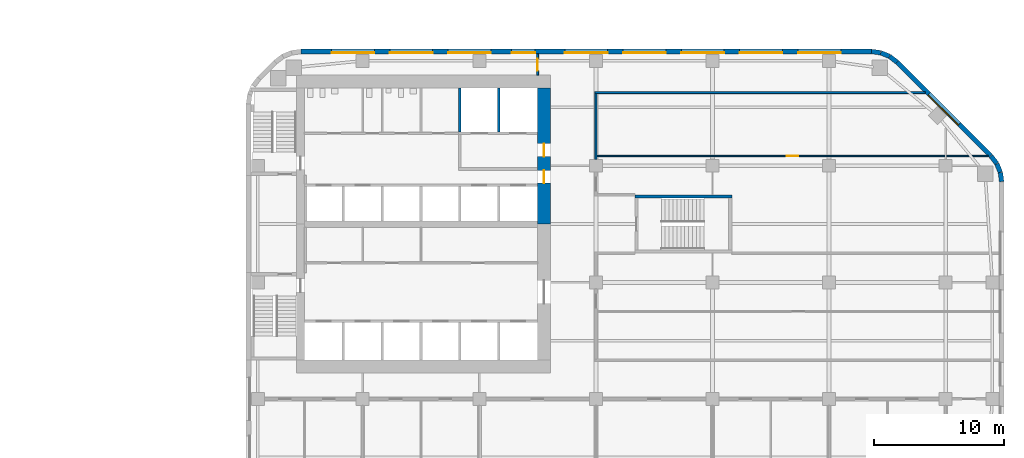
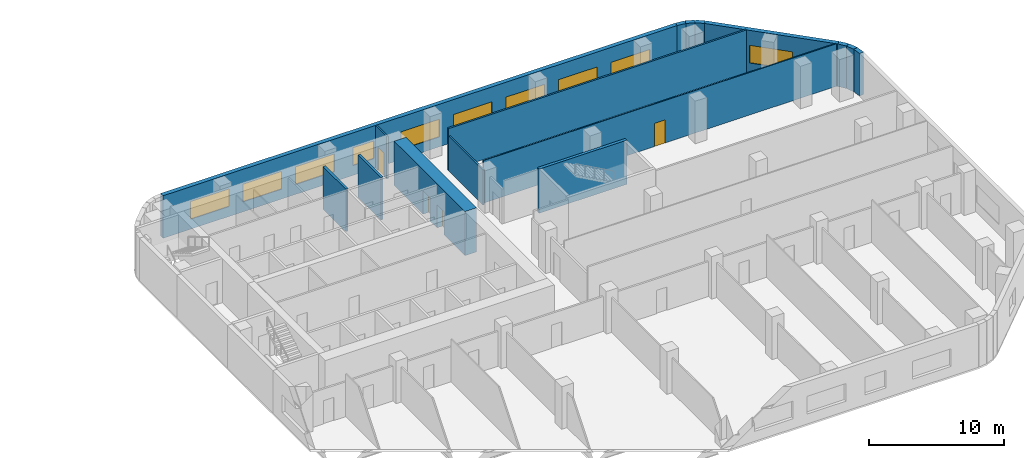
# One storey, part 11 of 15: 16 walls, 10 windows, 4 doors, 14 openings.
"""IFC4 building model written with IfcOpenShell, lengths in metres."""

from ifc_helpers import new_model, si_unit, direction, frame, frame_2d, origin, place, context, subcontext, project, spatial, rectangle, extrude, material, layer, layer_set, type_object, element, fill, save


model = new_model("IFC4")

# Units and contexts
model_context = context("Model", 3, precision=1e-05, world=origin(), true_north=direction((0.0, 1.0)))
body_context = subcontext(model_context, "Body", "Model", "MODEL_VIEW")
ifc_project = project(units=[si_unit("LENGTHUNIT", "METRE"), si_unit("AREAUNIT", "SQUARE_METRE"), si_unit("VOLUMEUNIT", "CUBIC_METRE"), si_unit("PLANEANGLEUNIT", "RADIAN"), si_unit("MASSUNIT", "GRAM", prefix="KILO")], contexts=[model_context])

# Site, building, storey
site_placement = place(None, origin())
site = spatial("IfcSite", under=ifc_project, at=site_placement, CompositionType="ELEMENT")
building_placement = place(site_placement, origin())
building = spatial("IfcBuilding", under=site, at=building_placement, Name="Cinnabar Reach Civic Tower", CompositionType="ELEMENT")
storey_placement = place(building_placement, frame((0.0, 0.0, 59.0)))
storey = spatial("IfcBuildingStorey", under=building, at=storey_placement, Name="L13", CompositionType="ELEMENT", Elevation=59.0)

# Walls
ifc_material_1 = material(Name="Facing brick with insulated backing", Category="masonry")
ifc_layer_1 = layer(ifc_material_1, 0.36)
ifc_layer_set_1 = layer_set([ifc_layer_1], Name="Brick corner wall")
wall_type_1 = type_object("IfcWallType", Name="Brick corner wall", PredefinedType="STANDARD", material=ifc_layer_set_1)
for number, where, z_axis, x_axis, name in (
    (1, (58.317, 34.7686, 0.0), (0.0, 0.0, 1.0), (-0.13055608231, 0.99144092581, 0.0), "Brick corner wall"),
    (2, (58.2181, 35.4973, 0.0), (0.0, 0.0, 1.0), (-0.382702709855, 0.923871547278, 0.0), "Brick corner wall"),
):
    element("IfcWall", number, at=place(storey_placement, frame(where, z_axis=z_axis, x_axis=x_axis)), inside=storey, type_object=wall_type_1, Name=name, PredefinedType="STANDARD", context=body_context, shape_type="SweptSolid", body=[
        extrude(rectangle(XDim=0.7131, YDim=0.36, at=frame_2d((0.3565, 0.0))), origin(), (0.0, 0.0, 1.0), 3.85),
    ])
for number, where, z_axis, x_axis, name in (
    (3, (57.934, 36.1755, 0.0), (0.0, 0.0, 1.0), (-0.608802368033, 0.793321924995, 0.0), "Brick corner wall"),
    (4, (50.2413, 43.9998, 0.0), (0.0, 0.0, 1.0), (-0.793321924995, 0.608802368033, 0.0), "Brick corner wall"),
):
    element("IfcWall", number, at=place(storey_placement, frame(where, z_axis=z_axis, x_axis=x_axis)), inside=storey, type_object=wall_type_1, Name=name, PredefinedType="STANDARD", context=body_context, shape_type="SweptSolid", body=[
        extrude(rectangle(XDim=0.7132, YDim=0.36, at=frame_2d((0.3566, 0.0))), origin(), (0.0, 0.0, 1.0), 3.85),
    ])
for number, where, z_axis, x_axis, name in (
    (5, (49.6561, 44.4452, 0.0), (0.0, 0.0, 1.0), (-0.923871547278, 0.382702709855, 0.0), "Brick corner wall"),
    (6, (48.9756, 44.7239, 0.0), (0.0, 0.0, 1.0), (-0.99144092581, 0.13055608231, 0.0), "Brick corner wall"),
):
    element("IfcWall", number, at=place(storey_placement, frame(where, z_axis=z_axis, x_axis=x_axis)), inside=storey, type_object=wall_type_1, Name=name, PredefinedType="STANDARD", context=body_context, shape_type="SweptSolid", body=[
        extrude(rectangle(XDim=0.7131, YDim=0.36, at=frame_2d((0.3565, 0.0))), origin(), (0.0, 0.0, 1.0), 3.85),
    ])

# Wall, opening, window
ifc_layer_2 = layer(ifc_material_1, 0.36)
ifc_layer_set_2 = layer_set([ifc_layer_2], Name="Brick pier and spandrel wall")
wall_type_2 = type_object("IfcWallType", Name="Brick pier and spandrel wall", PredefinedType="STANDARD", material=ifc_layer_set_2)
wall_1_placement = place(storey_placement, frame((57.494, 36.7514, 0.0), z_axis=(0.0, 0.0, 1.0), x_axis=(-0.707106781187, 0.707106781187, 0.0)))
wall_1 = element("IfcWall", 7, at=wall_1_placement, inside=storey, type_object=wall_type_2, Name="Brick facade wall", PredefinedType="STANDARD", context=body_context, shape_type="SweptSolid", body=[
    extrude(rectangle(XDim=10.2426, YDim=0.36, at=frame_2d((5.1213, 0.0))), origin(), (0.0, 0.0, 1.0), 3.85),
])
opening_1_placement = place(wall_1_placement, frame((3.4713, 0.0, 0.9)))
opening_1 = element("IfcOpeningElement", 8, at=opening_1_placement, cuts=wall_1, Name="Opening W1227", PredefinedType="OPENING", context=body_context, shape_type="SweptSolid", body=[
    extrude(rectangle(XDim=3.3, YDim=1.6, at=frame_2d((1.65, 0.8))), frame((0.0, 0.19, 0.0), z_axis=(0.0, -1.0, 0.0), x_axis=(1.0, 0.0, 0.0)), (0.0, 0.0, 1.0), 0.38),
])
ifc_material_2 = material(Name="Clear double glazing in aluminium frame", Category="aluminium")
window_type_1 = type_object("IfcWindowType", Name="Deep-set window A", PartitioningType="SINGLE_PANEL", PredefinedType="WINDOW", material=ifc_material_2)
window_1_placement = place(opening_1_placement, origin())
window_1 = element("IfcWindow", 9, at=window_1_placement, inside=storey, type_object=window_type_1, Name="Window northeast face", OverallHeight=1.6, OverallWidth=3.3, PartitioningType="SINGLE_PANEL", PredefinedType="WINDOW", context=body_context, shape_type="SweptSolid", body=[
    extrude(rectangle(XDim=3.3, YDim=1.6, at=frame_2d((1.65, 0.8))), frame((0.0, 0.13, 0.0), z_axis=(0.0, -1.0, 0.0), x_axis=(1.0, 0.0, 0.0)), (0.0, 0.0, 1.0), 0.06),
])
fill(opening_1, window_1)

# Wall, openings, windows
wall_2_placement = place(storey_placement, frame((48.2574, 44.82, 0.0), z_axis=(0.0, 0.0, 1.0), x_axis=(-1.0, 0.0, 0.0)))
wall_2 = element("IfcWall", 10, at=wall_2_placement, inside=storey, type_object=wall_type_2, Name="Brick facade wall", PredefinedType="STANDARD", context=body_context, shape_type="SweptSolid", body=[
    extrude(rectangle(XDim=44.0148, YDim=0.36, at=frame_2d((22.0074, 0.0))), origin(), (0.0, 0.0, 1.0), 3.85),
])
opening_2_placement = place(wall_2_placement, frame((2.3574, 0.0, 0.9)))
opening_2 = element("IfcOpeningElement", 11, at=opening_2_placement, cuts=wall_2, Name="Opening W1228", PredefinedType="OPENING", context=body_context, shape_type="SweptSolid", body=[
    extrude(rectangle(XDim=3.3, YDim=1.6, at=frame_2d((1.65, 0.8))), frame((0.0, 0.19, 0.0), z_axis=(0.0, -1.0, 0.0), x_axis=(1.0, 0.0, 0.0)), (0.0, 0.0, 1.0), 0.38),
])
opening_3_placement = place(wall_2_placement, frame((6.8574, 0.0, 0.9)))
opening_3 = element("IfcOpeningElement", 12, at=opening_3_placement, cuts=wall_2, Name="Opening W1229", PredefinedType="OPENING", context=body_context, shape_type="SweptSolid", body=[
    extrude(rectangle(XDim=3.3, YDim=1.6, at=frame_2d((1.65, 0.8))), frame((0.0, 0.19, 0.0), z_axis=(0.0, -1.0, 0.0), x_axis=(1.0, 0.0, 0.0)), (0.0, 0.0, 1.0), 0.38),
])
opening_4_placement = place(wall_2_placement, frame((11.3574, 0.0, 0.9)))
opening_4 = element("IfcOpeningElement", 13, at=opening_4_placement, cuts=wall_2, Name="Opening W1230", PredefinedType="OPENING", context=body_context, shape_type="SweptSolid", body=[
    extrude(rectangle(XDim=3.3, YDim=1.6, at=frame_2d((1.65, 0.8))), frame((0.0, 0.19, 0.0), z_axis=(0.0, -1.0, 0.0), x_axis=(1.0, 0.0, 0.0)), (0.0, 0.0, 1.0), 0.38),
])
opening_5_placement = place(wall_2_placement, frame((15.8574, 0.0, 0.9)))
opening_5 = element("IfcOpeningElement", 14, at=opening_5_placement, cuts=wall_2, Name="Opening W1231", PredefinedType="OPENING", context=body_context, shape_type="SweptSolid", body=[
    extrude(rectangle(XDim=3.3, YDim=1.6, at=frame_2d((1.65, 0.8))), frame((0.0, 0.19, 0.0), z_axis=(0.0, -1.0, 0.0), x_axis=(1.0, 0.0, 0.0)), (0.0, 0.0, 1.0), 0.38),
])
opening_6_placement = place(wall_2_placement, frame((20.3574, 0.0, 0.9)))
opening_6 = element("IfcOpeningElement", 15, at=opening_6_placement, cuts=wall_2, Name="Opening W1232", PredefinedType="OPENING", context=body_context, shape_type="SweptSolid", body=[
    extrude(rectangle(XDim=3.3, YDim=1.6, at=frame_2d((1.65, 0.8))), frame((0.0, 0.19, 0.0), z_axis=(0.0, -1.0, 0.0), x_axis=(1.0, 0.0, 0.0)), (0.0, 0.0, 1.0), 0.38),
])
opening_7_placement = place(wall_2_placement, frame((25.9574, 0.0, 0.9)))
opening_7 = element("IfcOpeningElement", 16, at=opening_7_placement, cuts=wall_2, Name="Opening W1233", PredefinedType="OPENING", context=body_context, shape_type="SweptSolid", body=[
    extrude(rectangle(XDim=1.8, YDim=1.6, at=frame_2d((0.9, 0.8))), frame((0.0, 0.19, 0.0), z_axis=(0.0, -1.0, 0.0), x_axis=(1.0, 0.0, 0.0)), (0.0, 0.0, 1.0), 0.38),
])
opening_8_placement = place(wall_2_placement, frame((29.3574, 0.0, 0.9)))
opening_8 = element("IfcOpeningElement", 17, at=opening_8_placement, cuts=wall_2, Name="Opening W1234", PredefinedType="OPENING", context=body_context, shape_type="SweptSolid", body=[
    extrude(rectangle(XDim=3.3, YDim=1.6, at=frame_2d((1.65, 0.8))), frame((0.0, 0.19, 0.0), z_axis=(0.0, -1.0, 0.0), x_axis=(1.0, 0.0, 0.0)), (0.0, 0.0, 1.0), 0.38),
])
opening_9_placement = place(wall_2_placement, frame((33.8574, 0.0, 0.9)))
opening_9 = element("IfcOpeningElement", 18, at=opening_9_placement, cuts=wall_2, Name="Opening W1235", PredefinedType="OPENING", context=body_context, shape_type="SweptSolid", body=[
    extrude(rectangle(XDim=3.3, YDim=1.6, at=frame_2d((1.65, 0.8))), frame((0.0, 0.19, 0.0), z_axis=(0.0, -1.0, 0.0), x_axis=(1.0, 0.0, 0.0)), (0.0, 0.0, 1.0), 0.38),
])
opening_10_placement = place(wall_2_placement, frame((38.3574, 0.0, 0.9)))
opening_10 = element("IfcOpeningElement", 19, at=opening_10_placement, cuts=wall_2, Name="Opening W1236", PredefinedType="OPENING", context=body_context, shape_type="SweptSolid", body=[
    extrude(rectangle(XDim=3.3, YDim=1.6, at=frame_2d((1.65, 0.8))), frame((0.0, 0.19, 0.0), z_axis=(0.0, -1.0, 0.0), x_axis=(1.0, 0.0, 0.0)), (0.0, 0.0, 1.0), 0.38),
])
window_2_placement = place(opening_2_placement, origin())
window_2 = element("IfcWindow", 20, at=window_2_placement, inside=storey, type_object=window_type_1, Name="Window north face", OverallHeight=1.6, OverallWidth=3.3, PartitioningType="SINGLE_PANEL", PredefinedType="WINDOW", context=body_context, shape_type="SweptSolid", body=[
    extrude(rectangle(XDim=3.3, YDim=1.6, at=frame_2d((1.65, 0.8))), frame((0.0, 0.13, 0.0), z_axis=(0.0, -1.0, 0.0), x_axis=(1.0, 0.0, 0.0)), (0.0, 0.0, 1.0), 0.06),
])
fill(opening_2, window_2)
window_3_placement = place(opening_3_placement, origin())
window_3 = element("IfcWindow", 21, at=window_3_placement, inside=storey, type_object=window_type_1, Name="Window north face", OverallHeight=1.6, OverallWidth=3.3, PartitioningType="SINGLE_PANEL", PredefinedType="WINDOW", context=body_context, shape_type="SweptSolid", body=[
    extrude(rectangle(XDim=3.3, YDim=1.6, at=frame_2d((1.65, 0.8))), frame((0.0, 0.13, 0.0), z_axis=(0.0, -1.0, 0.0), x_axis=(1.0, 0.0, 0.0)), (0.0, 0.0, 1.0), 0.06),
])
fill(opening_3, window_3)
window_4_placement = place(opening_4_placement, origin())
window_4 = element("IfcWindow", 22, at=window_4_placement, inside=storey, type_object=window_type_1, Name="Window north face", OverallHeight=1.6, OverallWidth=3.3, PartitioningType="SINGLE_PANEL", PredefinedType="WINDOW", context=body_context, shape_type="SweptSolid", body=[
    extrude(rectangle(XDim=3.3, YDim=1.6, at=frame_2d((1.65, 0.8))), frame((0.0, 0.13, 0.0), z_axis=(0.0, -1.0, 0.0), x_axis=(1.0, 0.0, 0.0)), (0.0, 0.0, 1.0), 0.06),
])
fill(opening_4, window_4)
window_5_placement = place(opening_5_placement, origin())
window_5 = element("IfcWindow", 23, at=window_5_placement, inside=storey, type_object=window_type_1, Name="Window north face", OverallHeight=1.6, OverallWidth=3.3, PartitioningType="SINGLE_PANEL", PredefinedType="WINDOW", context=body_context, shape_type="SweptSolid", body=[
    extrude(rectangle(XDim=3.3, YDim=1.6, at=frame_2d((1.65, 0.8))), frame((0.0, 0.13, 0.0), z_axis=(0.0, -1.0, 0.0), x_axis=(1.0, 0.0, 0.0)), (0.0, 0.0, 1.0), 0.06),
])
fill(opening_5, window_5)
window_6_placement = place(opening_6_placement, origin())
window_6 = element("IfcWindow", 24, at=window_6_placement, inside=storey, type_object=window_type_1, Name="Window north face", OverallHeight=1.6, OverallWidth=3.3, PartitioningType="SINGLE_PANEL", PredefinedType="WINDOW", context=body_context, shape_type="SweptSolid", body=[
    extrude(rectangle(XDim=3.3, YDim=1.6, at=frame_2d((1.65, 0.8))), frame((0.0, 0.13, 0.0), z_axis=(0.0, -1.0, 0.0), x_axis=(1.0, 0.0, 0.0)), (0.0, 0.0, 1.0), 0.06),
])
fill(opening_6, window_6)
window_7_placement = place(opening_8_placement, origin())
window_7 = element("IfcWindow", 25, at=window_7_placement, inside=storey, type_object=window_type_1, Name="Window north face", OverallHeight=1.6, OverallWidth=3.3, PartitioningType="SINGLE_PANEL", PredefinedType="WINDOW", context=body_context, shape_type="SweptSolid", body=[
    extrude(rectangle(XDim=3.3, YDim=1.6, at=frame_2d((1.65, 0.8))), frame((0.0, 0.13, 0.0), z_axis=(0.0, -1.0, 0.0), x_axis=(1.0, 0.0, 0.0)), (0.0, 0.0, 1.0), 0.06),
])
fill(opening_8, window_7)
window_8_placement = place(opening_9_placement, origin())
window_8 = element("IfcWindow", 26, at=window_8_placement, inside=storey, type_object=window_type_1, Name="Window north face", OverallHeight=1.6, OverallWidth=3.3, PartitioningType="SINGLE_PANEL", PredefinedType="WINDOW", context=body_context, shape_type="SweptSolid", body=[
    extrude(rectangle(XDim=3.3, YDim=1.6, at=frame_2d((1.65, 0.8))), frame((0.0, 0.13, 0.0), z_axis=(0.0, -1.0, 0.0), x_axis=(1.0, 0.0, 0.0)), (0.0, 0.0, 1.0), 0.06),
])
fill(opening_9, window_8)
window_9_placement = place(opening_10_placement, origin())
window_9 = element("IfcWindow", 27, at=window_9_placement, inside=storey, type_object=window_type_1, Name="Window north face", OverallHeight=1.6, OverallWidth=3.3, PartitioningType="SINGLE_PANEL", PredefinedType="WINDOW", context=body_context, shape_type="SweptSolid", body=[
    extrude(rectangle(XDim=3.3, YDim=1.6, at=frame_2d((1.65, 0.8))), frame((0.0, 0.13, 0.0), z_axis=(0.0, -1.0, 0.0), x_axis=(1.0, 0.0, 0.0)), (0.0, 0.0, 1.0), 0.06),
])
fill(opening_10, window_9)
window_type_2 = type_object("IfcWindowType", Name="Deep-set window D", PartitioningType="SINGLE_PANEL", PredefinedType="WINDOW", material=ifc_material_2)
window_10_placement = place(opening_7_placement, origin())
window_10 = element("IfcWindow", 28, at=window_10_placement, inside=storey, type_object=window_type_2, Name="Window north face", OverallHeight=1.6, OverallWidth=1.8, PartitioningType="SINGLE_PANEL", PredefinedType="WINDOW", context=body_context, shape_type="SweptSolid", body=[
    extrude(rectangle(XDim=1.8, YDim=1.6, at=frame_2d((0.9, 0.8))), frame((0.0, 0.13, 0.0), z_axis=(0.0, -1.0, 0.0), x_axis=(1.0, 0.0, 0.0)), (0.0, 0.0, 1.0), 0.06),
])
fill(opening_7, window_10)

# Wall, openings, doors
ifc_material_3 = material(Name="Concrete C70", Category="concrete")
ifc_layer_3 = layer(ifc_material_3, 1.0)
ifc_layer_set_3 = layer_set([ifc_layer_3], Name="Core wall 1000 EI 180")
wall_type_3 = type_object("IfcWallType", Name="Core wall 1000 EI 180", PredefinedType="SOLIDWALL", material=ifc_layer_set_3)
wall_3_placement = place(storey_placement, frame((23.0, 31.5, 0.0), z_axis=(0.0, 0.0, 1.0), x_axis=(0.0, 1.0, 0.0)))
wall_3 = element("IfcWall", 29, at=wall_3_placement, inside=storey, type_object=wall_type_3, Name="Core wall T1 L13 E2", PredefinedType="SOLIDWALL", context=body_context, shape_type="SweptSolid", body=[
    extrude(rectangle(XDim=10.5, YDim=1.0, at=frame_2d((5.25, 0.0))), origin(), (0.0, 0.0, 1.0), 4.0),
])
opening_11_placement = place(wall_3_placement, frame((3.15, 0.0, 0.0)))
opening_11 = element("IfcOpeningElement", 30, at=opening_11_placement, cuts=wall_3, Name="Opening D3533", PredefinedType="OPENING", context=body_context, shape_type="SweptSolid", body=[
    extrude(rectangle(XDim=1.0, YDim=2.1, at=frame_2d((0.5, 1.05))), frame((0.0, 0.51, 0.0), z_axis=(0.0, -1.0, 0.0), x_axis=(1.0, 0.0, 0.0)), (0.0, 0.0, 1.0), 1.02),
])
opening_12_placement = place(wall_3_placement, frame((5.2, 0.0, 0.0)))
opening_12 = element("IfcOpeningElement", 31, at=opening_12_placement, cuts=wall_3, Name="Opening D3534", PredefinedType="OPENING", context=body_context, shape_type="SweptSolid", body=[
    extrude(rectangle(XDim=1.0, YDim=2.1, at=frame_2d((0.5, 1.05))), frame((0.0, 0.51, 0.0), z_axis=(0.0, -1.0, 0.0), x_axis=(1.0, 0.0, 0.0)), (0.0, 0.0, 1.0), 1.02),
])
ifc_material_4 = material(Name="Timber door leaf in steel frame", Category="steel")
door_type_1 = type_object("IfcDoorType", Name="Firefighting lobby door 1000 x 2100 T1", OperationType="SINGLE_SWING_LEFT", PredefinedType="DOOR", material=ifc_material_4)
door_1_placement = place(opening_12_placement, origin())
door_1 = element("IfcDoor", 32, at=door_1_placement, inside=storey, type_object=door_type_1, Name="Door D3534", OperationType="SINGLE_SWING_RIGHT", OverallHeight=2.1, OverallWidth=1.0, PredefinedType="DOOR", context=body_context, shape_type="SweptSolid", body=[
    extrude(rectangle(XDim=1.0, YDim=2.1, at=frame_2d((0.5, 1.05))), frame((0.0, 0.025, 0.0), z_axis=(0.0, -1.0, 0.0), x_axis=(1.0, 0.0, 0.0)), (0.0, 0.0, 1.0), 0.05),
])
fill(opening_12, door_1)
door_type_2 = type_object("IfcDoorType", Name="Single swing door 1000 x 2100 T1", OperationType="SINGLE_SWING_LEFT", PredefinedType="DOOR", material=ifc_material_4)
door_2_placement = place(opening_11_placement, origin())
door_2 = element("IfcDoor", 33, at=door_2_placement, inside=storey, type_object=door_type_2, Name="Door D3533", OperationType="SINGLE_SWING_RIGHT", OverallHeight=2.1, OverallWidth=1.0, PredefinedType="DOOR", context=body_context, shape_type="SweptSolid", body=[
    extrude(rectangle(XDim=1.0, YDim=2.1, at=frame_2d((0.5, 1.05))), frame((0.0, 0.025, 0.0), z_axis=(0.0, -1.0, 0.0), x_axis=(1.0, 0.0, 0.0)), (0.0, 0.0, 1.0), 0.05),
])
fill(opening_11, door_2)

# Walls
ifc_material_5 = material(Name="Gypsum board on steel studs, double layer", Category="steel")
ifc_layer_4 = layer(ifc_material_5, 0.15)
ifc_layer_set_4 = layer_set([ifc_layer_4], Name="Corridor wall 150 T1")
wall_type_4 = type_object("IfcWallType", Name="Corridor wall 150 T1", PredefinedType="PARTITIONING", material=ifc_layer_set_4)
wall_4_placement = place(storey_placement, frame((26.925, 41.65, 0.0), z_axis=(0.0, 0.0, 1.0), x_axis=(1.0, 0.0, 0.0)))
element("IfcWall", 34, at=wall_4_placement, inside=storey, type_object=wall_type_4, Name="Corridor wall 27", PredefinedType="PARTITIONING", context=body_context, shape_type="SweptSolid", body=[
    extrude(rectangle(XDim=25.4909, YDim=0.15, at=frame_2d((12.7454, 0.0))), origin(), (0.0, 0.0, 1.0), 3.85),
])
wall_5_placement = place(storey_placement, frame((27.0, 36.5, 0.0), z_axis=(0.0, 0.0, 1.0), x_axis=(0.0, 1.0, 0.0)))
element("IfcWall", 35, at=wall_5_placement, inside=storey, type_object=wall_type_4, Name="Corridor wall 33", PredefinedType="PARTITIONING", context=body_context, shape_type="SweptSolid", body=[
    extrude(rectangle(XDim=5.075, YDim=0.15, at=frame_2d((2.5375, 0.0))), origin(), (0.0, 0.0, 1.0), 3.158),
])

# Wall, opening, door
wall_6_placement = place(storey_placement, frame((22.5, 43.0, 0.0), z_axis=(0.0, 0.0, 1.0), x_axis=(0.0, 1.0, 0.0)))
wall_6 = element("IfcWall", 36, at=wall_6_placement, inside=storey, type_object=wall_type_4, Name="Corridor wall 38", PredefinedType="PARTITIONING", context=body_context, shape_type="SweptSolid", body=[
    extrude(rectangle(XDim=1.64, YDim=0.15, at=frame_2d((0.82, 0.0))), origin(), (0.0, 0.0, 1.0), 3.85),
])
opening_13_placement = place(wall_6_placement, frame((0.35, 0.0, 0.0)))
opening_13 = element("IfcOpeningElement", 37, at=opening_13_placement, cuts=wall_6, Name="Opening D5777", PredefinedType="OPENING", context=body_context, shape_type="SweptSolid", body=[
    extrude(rectangle(XDim=0.9, YDim=2.1, at=frame_2d((0.45, 1.05))), frame((0.0, 0.085, 0.0), z_axis=(0.0, -1.0, 0.0), x_axis=(1.0, 0.0, 0.0)), (0.0, 0.0, 1.0), 0.17),
])
door_type_3 = type_object("IfcDoorType", Name="Single swing door 900 x 2100 corridor T1", OperationType="SINGLE_SWING_LEFT", PredefinedType="DOOR", material=ifc_material_4)
door_3_placement = place(opening_13_placement, origin())
door_3 = element("IfcDoor", 38, at=door_3_placement, inside=storey, type_object=door_type_3, Name="Door D5777", OperationType="SINGLE_SWING_LEFT", OverallHeight=2.1, OverallWidth=0.9, PredefinedType="DOOR", context=body_context, shape_type="SweptSolid", body=[
    extrude(rectangle(XDim=0.9, YDim=2.1, at=frame_2d((0.45, 1.05))), frame((0.0, 0.025, 0.0), z_axis=(0.0, -1.0, 0.0), x_axis=(1.0, 0.0, 0.0)), (0.0, 0.0, 1.0), 0.05),
])
fill(opening_13, door_3)

# Walls
ifc_material_6 = material(Name="Blockwork", Category="masonry")
ifc_layer_5 = layer(ifc_material_6, 0.2)
ifc_layer_set_5 = layer_set([ifc_layer_5], Name="Lift shaft wall 200 T1")
wall_type_5 = type_object("IfcWallType", Name="Lift shaft wall 200 T1", PredefinedType="PARTITIONING", material=ifc_layer_set_5)
for number, where, z_axis, x_axis, name in (
    (39, (16.5, 38.6, 0.0), (0.0, 0.0, 1.0), (0.0, 1.0, 0.0), "Lift shaft wall 6"),
    (40, (19.5, 38.6, 0.0), (0.0, 0.0, 1.0), (0.0, 1.0, 0.0), "Lift shaft wall 7"),
):
    element("IfcWall", number, at=place(storey_placement, frame(where, z_axis=z_axis, x_axis=x_axis)), inside=storey, type_object=wall_type_5, Name=name, PredefinedType="PARTITIONING", context=body_context, shape_type="SweptSolid", body=[
        extrude(rectangle(XDim=3.4, YDim=0.2, at=frame_2d((1.7, 0.0))), origin(), (0.0, 0.0, 1.0), 3.85),
    ])

# Wall, opening, door
ifc_material_7 = material(Name="Gypsum board on steel studs", Category="steel")
ifc_layer_6 = layer(ifc_material_7, 0.1)
ifc_layer_set_6 = layer_set([ifc_layer_6], Name="Partition wall 100 T1")
wall_type_6 = type_object("IfcWallType", Name="Partition wall 100 T1", PredefinedType="PARTITIONING", material=ifc_layer_set_6)
wall_7_placement = place(storey_placement, frame((27.075, 36.75, 0.0), z_axis=(0.0, 0.0, 1.0), x_axis=(1.0, 0.0, 0.0)))
wall_7 = element("IfcWall", 41, at=wall_7_placement, inside=storey, type_object=wall_type_6, Name="Partition wall 43", PredefinedType="PARTITIONING", context=body_context, shape_type="SweptSolid", body=[
    extrude(rectangle(XDim=30.2159, YDim=0.1, at=frame_2d((15.108, 0.0))), origin(), (0.0, 0.0, 1.0), 3.85),
])
opening_14_placement = place(wall_7_placement, frame((14.65, 0.0, 0.0)))
opening_14 = element("IfcOpeningElement", 42, at=opening_14_placement, cuts=wall_7, Name="Opening D3544", PredefinedType="OPENING", context=body_context, shape_type="SweptSolid", body=[
    extrude(rectangle(XDim=0.9, YDim=2.1, at=frame_2d((0.45, 1.05))), frame((0.0, 0.06, 0.0), z_axis=(0.0, -1.0, 0.0), x_axis=(1.0, 0.0, 0.0)), (0.0, 0.0, 1.0), 0.12),
])
door_type_4 = type_object("IfcDoorType", Name="Single swing door 900 x 2100 T1", OperationType="SINGLE_SWING_LEFT", PredefinedType="DOOR", material=ifc_material_4)
door_4_placement = place(opening_14_placement, origin())
door_4 = element("IfcDoor", 43, at=door_4_placement, inside=storey, type_object=door_type_4, Name="Door D3544", OperationType="SINGLE_SWING_LEFT", OverallHeight=2.1, OverallWidth=0.9, PredefinedType="DOOR", context=body_context, shape_type="SweptSolid", body=[
    extrude(rectangle(XDim=0.9, YDim=2.1, at=frame_2d((0.45, 1.05))), frame((0.0, 0.025, 0.0), z_axis=(0.0, -1.0, 0.0), x_axis=(1.0, 0.0, 0.0)), (0.0, 0.0, 1.0), 0.05),
])
fill(opening_14, door_4)

# Wall
ifc_material_8 = material(Name="Concrete C60", Category="concrete")
ifc_layer_7 = layer(ifc_material_8, 0.25)
ifc_layer_set_7 = layer_set([ifc_layer_7], Name="Stair shaft wall 250 EI 120")
wall_type_7 = type_object("IfcWallType", Name="Stair shaft wall 250 EI 120", PredefinedType="SOLIDWALL", material=ifc_layer_set_7)
wall_8_placement = place(storey_placement, frame((37.5, 33.625, 0.0), z_axis=(0.0, 0.0, 1.0), x_axis=(-1.0, 0.0, 0.0)))
element("IfcWall", 44, at=wall_8_placement, inside=storey, type_object=wall_type_7, Name="Stair shaft wall T1-S3 L13", PredefinedType="SOLIDWALL", context=body_context, shape_type="SweptSolid", body=[
    extrude(rectangle(XDim=7.5, YDim=0.25, at=frame_2d((3.75, 0.0))), origin(), (0.0, 0.0, 1.0), 4.0),
])

save(model, "model.ifc")
